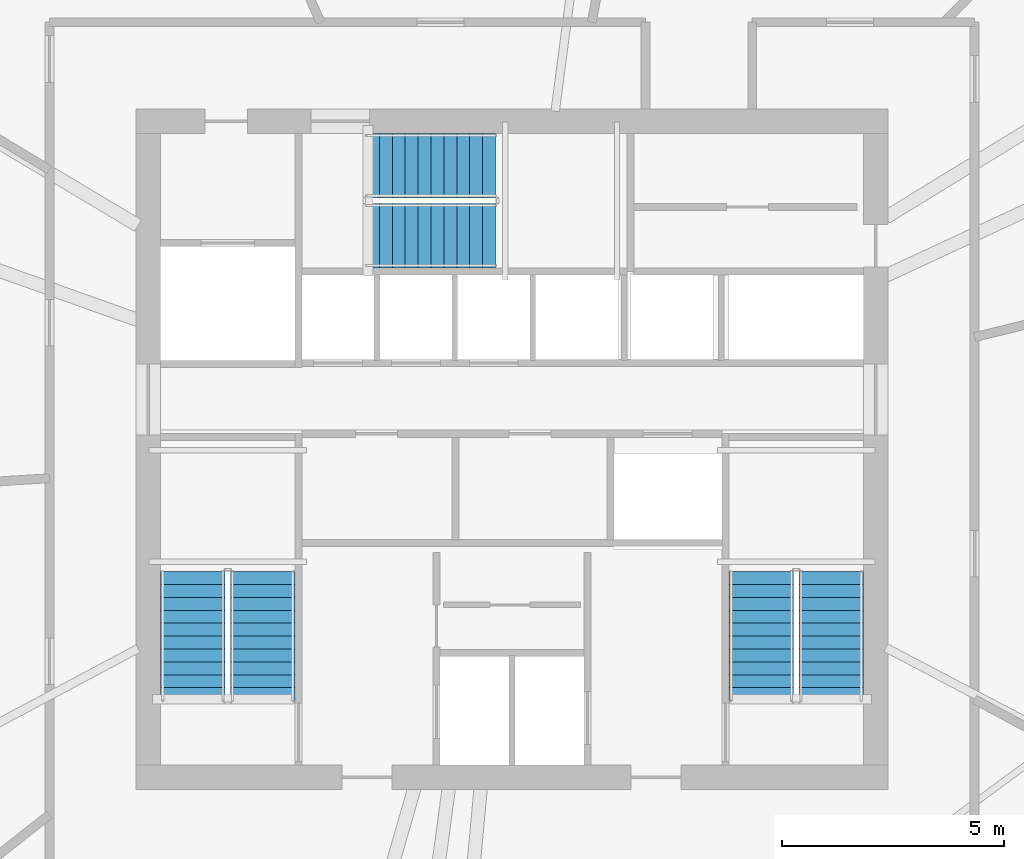
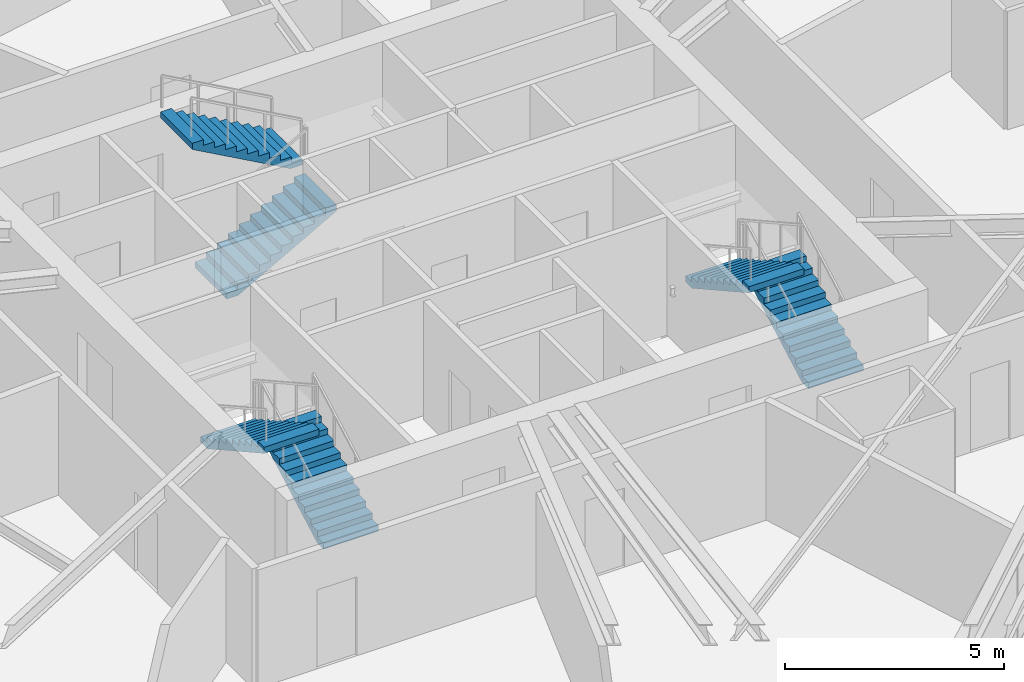
# One storey, part 12 of 15: 6 stair flights, 3 elements without a shape of their own.
"""IFC4 building model written with IfcOpenShell, lengths in metres."""

from ifc_helpers import new_model, si_unit, direction, frame, origin, place, context, subcontext, project, spatial, polyline, outline, extrude, material, type_object, element, aggregate, save


model = new_model("IFC4")

# Units and contexts
model_context = context("Model", 3, precision=1e-05, world=origin(), true_north=direction((0.0, 1.0)))
body_context = subcontext(model_context, "Body", "Model", "MODEL_VIEW")
ifc_project = project(units=[si_unit("LENGTHUNIT", "METRE"), si_unit("AREAUNIT", "SQUARE_METRE"), si_unit("VOLUMEUNIT", "CUBIC_METRE"), si_unit("PLANEANGLEUNIT", "RADIAN"), si_unit("MASSUNIT", "GRAM", prefix="KILO")], contexts=[model_context])

# Site, building, storey
site_placement = place(None, origin())
site = spatial("IfcSite", under=ifc_project, at=site_placement, CompositionType="ELEMENT")
building_placement = place(site_placement, origin())
building = spatial("IfcBuilding", under=site, at=building_placement, Name="Olszyna Solenne Hotel", CompositionType="ELEMENT")
storey_placement = place(building_placement, frame((0.0, 0.0, 146.60009765625)))
storey = spatial("IfcBuildingStorey", under=building, at=storey_placement, Name="L38", CompositionType="ELEMENT", Elevation=146.60009765625)

# Stair, stair flights
ifc_material = material(Name="Concrete C40/50", Category="concrete")
stair_type = type_object("IfcStairType", Name="STR-C1", PredefinedType="TWO_QUARTER_WINDING_STAIR", material=ifc_material)
stair_1_placement = place(storey_placement, origin())
stair_1 = element("IfcStair", 1, at=stair_1_placement, inside=storey, type_object=stair_type, Name="L38 ST1", PredefinedType="TWO_QUARTER_WINDING_STAIR")
stair_flight_type = type_object("IfcStairFlightType", Name="FLT-C1", PredefinedType="STRAIGHT", material=ifc_material)
stair_flight_1_placement = place(storey_placement, frame((32.39501953125, 20.949951171875, 0.0), z_axis=(0.0, 0.0, 1.0), x_axis=(0.0, 1.0, 0.0)))
stair_flight_1 = element("IfcStairFlight", 2, at=stair_flight_1_placement, type_object=stair_flight_type, Name="ST1 flight 1", NumberOfRisers=11, NumberOfTreads=10, PredefinedType="STRAIGHT", RiserHeight=0.161363636, TreadLength=0.29, context=body_context, shape_type="SweptSolid", body=[
    extrude(outline(polyline([(0.0, 0.0), (0.0, 0.161376953125), (0.2900390625, 0.161376953125), (0.2900390625, 0.32275390625), (0.580078125, 0.32275390625), (0.580078125, 0.484130859375), (0.8701171875, 0.484130859375), (0.8701171875, 0.6455078125), (1.159912109375, 0.6455078125), (1.159912109375, 0.806884765625), (1.449951171875, 0.806884765625), (1.449951171875, 0.96826171875), (1.739990234375, 0.96826171875), (1.739990234375, 1.129638671875), (2.030029296875, 1.129638671875), (2.030029296875, 1.291015625), (2.320068359375, 1.291015625), (2.320068359375, 1.452392578125), (2.610107421875, 1.452392578125), (2.610107421875, 1.613525390625), (2.89990234375, 1.613525390625), (2.89990234375, 1.77490234375), (2.89990234375, 1.442138671875), (0.308349609375, 0.0), (0.0, 0.0)])), frame((0.0, 0.72509765625, 0.0), z_axis=(0.0, -1.0, 0.0), x_axis=(1.0, 0.0, 0.0)), (0.0, 0.0, 1.0), 1.449951171875),
])
stair_flight_2_placement = place(storey_placement, frame((30.824951171875, 23.85009765625, 1.77490234375), z_axis=(0.0, 0.0, 1.0), x_axis=(0.0, -1.0, 0.0)))
stair_flight_2 = element("IfcStairFlight", 3, at=stair_flight_2_placement, type_object=stair_flight_type, Name="ST1 flight 2", NumberOfRisers=11, NumberOfTreads=10, PredefinedType="STRAIGHT", RiserHeight=0.161363636, TreadLength=0.29, context=body_context, shape_type="SweptSolid", body=[
    extrude(outline(polyline([(0.0, 0.0), (0.0, 0.161376953125), (0.2900390625, 0.161376953125), (0.2900390625, 0.32275390625), (0.580078125, 0.32275390625), (0.580078125, 0.484130859375), (0.8701171875, 0.484130859375), (0.8701171875, 0.6455078125), (1.159912109375, 0.6455078125), (1.159912109375, 0.806884765625), (1.449951171875, 0.806884765625), (1.449951171875, 0.96826171875), (1.739990234375, 0.96826171875), (1.739990234375, 1.129638671875), (2.030029296875, 1.129638671875), (2.030029296875, 1.291015625), (2.320068359375, 1.291015625), (2.320068359375, 1.452392578125), (2.610107421875, 1.452392578125), (2.610107421875, 1.613525390625), (2.89990234375, 1.613525390625), (2.89990234375, 1.77490234375), (2.89990234375, 1.442138671875), (0.308349609375, 0.0), (0.0, 0.0)])), frame((0.0, 0.72509765625, 0.0), z_axis=(0.0, -1.0, 0.0), x_axis=(1.0, 0.0, 0.0)), (0.0, 0.0, 1.0), 1.449951171875),
])
aggregate(stair_1, [stair_flight_1, stair_flight_2])

stair_2_placement = place(storey_placement, origin())
stair_2 = element("IfcStair", 4, at=stair_2_placement, inside=storey, type_object=stair_type, Name="L38 ST2", PredefinedType="TWO_QUARTER_WINDING_STAIR")
stair_flight_3_placement = place(storey_placement, frame((45.175048828125, 20.949951171875, 0.0), z_axis=(0.0, 0.0, 1.0), x_axis=(0.0, 1.0, 0.0)))
stair_flight_3 = element("IfcStairFlight", 5, at=stair_flight_3_placement, type_object=stair_flight_type, Name="ST2 flight 1", NumberOfRisers=11, NumberOfTreads=10, PredefinedType="STRAIGHT", RiserHeight=0.161363636, TreadLength=0.29, context=body_context, shape_type="SweptSolid", body=[
    extrude(outline(polyline([(0.0, 0.0), (0.0, 0.161376953125), (0.2900390625, 0.161376953125), (0.2900390625, 0.32275390625), (0.580078125, 0.32275390625), (0.580078125, 0.484130859375), (0.8701171875, 0.484130859375), (0.8701171875, 0.6455078125), (1.159912109375, 0.6455078125), (1.159912109375, 0.806884765625), (1.449951171875, 0.806884765625), (1.449951171875, 0.96826171875), (1.739990234375, 0.96826171875), (1.739990234375, 1.129638671875), (2.030029296875, 1.129638671875), (2.030029296875, 1.291015625), (2.320068359375, 1.291015625), (2.320068359375, 1.452392578125), (2.610107421875, 1.452392578125), (2.610107421875, 1.613525390625), (2.89990234375, 1.613525390625), (2.89990234375, 1.77490234375), (2.89990234375, 1.442138671875), (0.308349609375, 0.0), (0.0, 0.0)])), frame((0.0, 0.72509765625, 0.0), z_axis=(0.0, -1.0, 0.0), x_axis=(1.0, 0.0, 0.0)), (0.0, 0.0, 1.0), 1.449951171875),
])
stair_flight_4_placement = place(storey_placement, frame((43.60498046875, 23.85009765625, 1.77490234375), z_axis=(0.0, 0.0, 1.0), x_axis=(0.0, -1.0, 0.0)))
stair_flight_4 = element("IfcStairFlight", 6, at=stair_flight_4_placement, type_object=stair_flight_type, Name="ST2 flight 2", NumberOfRisers=11, NumberOfTreads=10, PredefinedType="STRAIGHT", RiserHeight=0.161363636, TreadLength=0.29, context=body_context, shape_type="SweptSolid", body=[
    extrude(outline(polyline([(0.0, 0.0), (0.0, 0.161376953125), (0.2900390625, 0.161376953125), (0.2900390625, 0.32275390625), (0.580078125, 0.32275390625), (0.580078125, 0.484130859375), (0.8701171875, 0.484130859375), (0.8701171875, 0.6455078125), (1.159912109375, 0.6455078125), (1.159912109375, 0.806884765625), (1.449951171875, 0.806884765625), (1.449951171875, 0.96826171875), (1.739990234375, 0.96826171875), (1.739990234375, 1.129638671875), (2.030029296875, 1.129638671875), (2.030029296875, 1.291015625), (2.320068359375, 1.291015625), (2.320068359375, 1.452392578125), (2.610107421875, 1.452392578125), (2.610107421875, 1.613525390625), (2.89990234375, 1.613525390625), (2.89990234375, 1.77490234375), (2.89990234375, 1.442138671875), (0.308349609375, 0.0), (0.0, 0.0)])), frame((0.0, 0.72509765625, 0.0), z_axis=(0.0, -1.0, 0.0), x_axis=(1.0, 0.0, 0.0)), (0.0, 0.0, 1.0), 1.449951171875),
])
aggregate(stair_2, [stair_flight_3, stair_flight_4])

stair_3_placement = place(storey_placement, origin())
stair_3 = element("IfcStair", 7, at=stair_3_placement, inside=storey, type_object=stair_type, Name="L38 ST3", PredefinedType="TWO_QUARTER_WINDING_STAIR")
stair_flight_5_placement = place(storey_placement, frame((34.72998046875, 31.405029296875, 0.0), z_axis=(0.0, 0.0, 1.0), x_axis=(1.0, 0.0, 0.0)))
stair_flight_5 = element("IfcStairFlight", 8, at=stair_flight_5_placement, type_object=stair_flight_type, Name="ST3 flight 1", NumberOfRisers=11, NumberOfTreads=10, PredefinedType="STRAIGHT", RiserHeight=0.161363636, TreadLength=0.29, context=body_context, shape_type="SweptSolid", body=[
    extrude(outline(polyline([(0.0, 0.0), (0.0, 0.161376953125), (0.2900390625, 0.161376953125), (0.2900390625, 0.32275390625), (0.580078125, 0.32275390625), (0.580078125, 0.484130859375), (0.8701171875, 0.484130859375), (0.8701171875, 0.6455078125), (1.159912109375, 0.6455078125), (1.159912109375, 0.806884765625), (1.449951171875, 0.806884765625), (1.449951171875, 0.96826171875), (1.739990234375, 0.96826171875), (1.739990234375, 1.129638671875), (2.030029296875, 1.129638671875), (2.030029296875, 1.291015625), (2.320068359375, 1.291015625), (2.320068359375, 1.452392578125), (2.610107421875, 1.452392578125), (2.610107421875, 1.613525390625), (2.89990234375, 1.613525390625), (2.89990234375, 1.77490234375), (2.89990234375, 1.442138671875), (0.308349609375, 0.0), (0.0, 0.0)])), frame((0.0, 0.72509765625, 0.0), z_axis=(0.0, -1.0, 0.0), x_axis=(1.0, 0.0, 0.0)), (0.0, 0.0, 1.0), 1.449951171875),
])
stair_flight_6_placement = place(storey_placement, frame((37.6298828125, 32.97509765625, 1.77490234375), z_axis=(0.0, 0.0, 1.0), x_axis=(-1.0, 0.0, 0.0)))
stair_flight_6 = element("IfcStairFlight", 9, at=stair_flight_6_placement, type_object=stair_flight_type, Name="ST3 flight 2", NumberOfRisers=11, NumberOfTreads=10, PredefinedType="STRAIGHT", RiserHeight=0.161363636, TreadLength=0.29, context=body_context, shape_type="SweptSolid", body=[
    extrude(outline(polyline([(0.0, 0.0), (0.0, 0.161376953125), (0.2900390625, 0.161376953125), (0.2900390625, 0.32275390625), (0.580078125, 0.32275390625), (0.580078125, 0.484130859375), (0.8701171875, 0.484130859375), (0.8701171875, 0.6455078125), (1.159912109375, 0.6455078125), (1.159912109375, 0.806884765625), (1.449951171875, 0.806884765625), (1.449951171875, 0.96826171875), (1.739990234375, 0.96826171875), (1.739990234375, 1.129638671875), (2.030029296875, 1.129638671875), (2.030029296875, 1.291015625), (2.320068359375, 1.291015625), (2.320068359375, 1.452392578125), (2.610107421875, 1.452392578125), (2.610107421875, 1.613525390625), (2.89990234375, 1.613525390625), (2.89990234375, 1.77490234375), (2.89990234375, 1.442138671875), (0.308349609375, 0.0), (0.0, 0.0)])), frame((0.0, 0.72509765625, 0.0), z_axis=(0.0, -1.0, 0.0), x_axis=(1.0, 0.0, 0.0)), (0.0, 0.0, 1.0), 1.449951171875),
])
aggregate(stair_3, [stair_flight_5, stair_flight_6])

save(model, "model.ifc")
